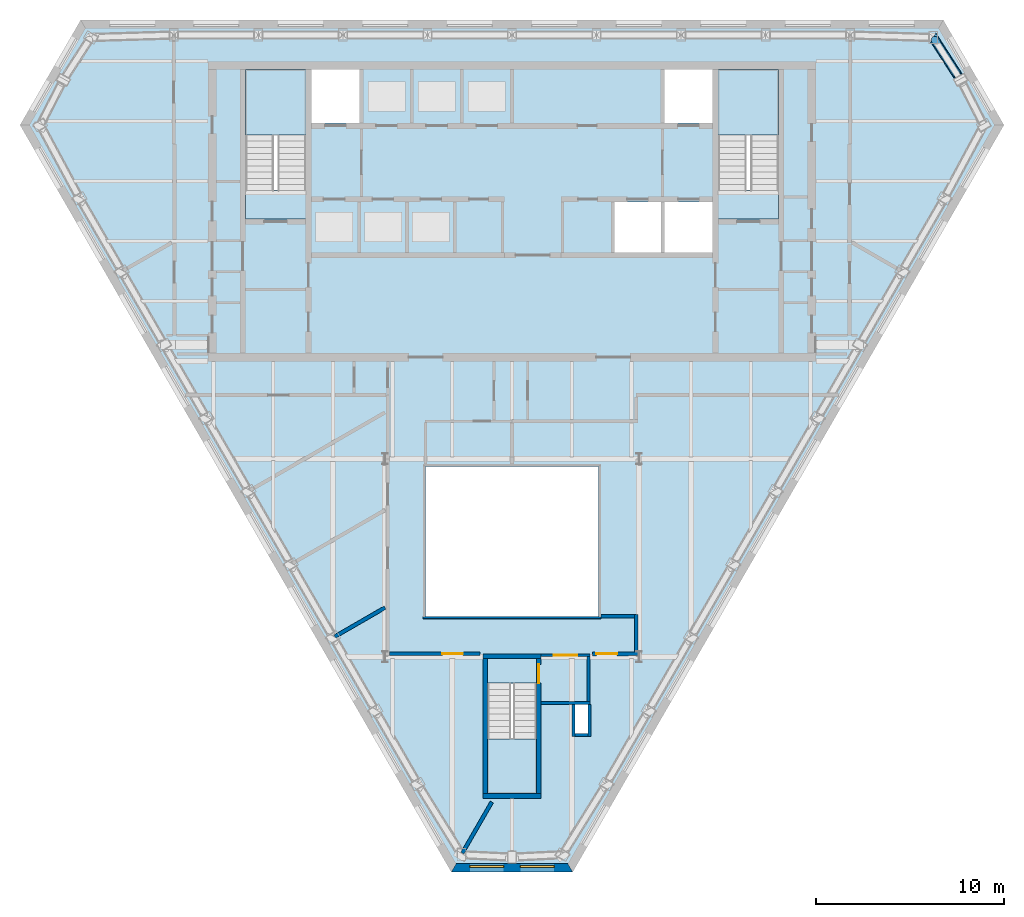
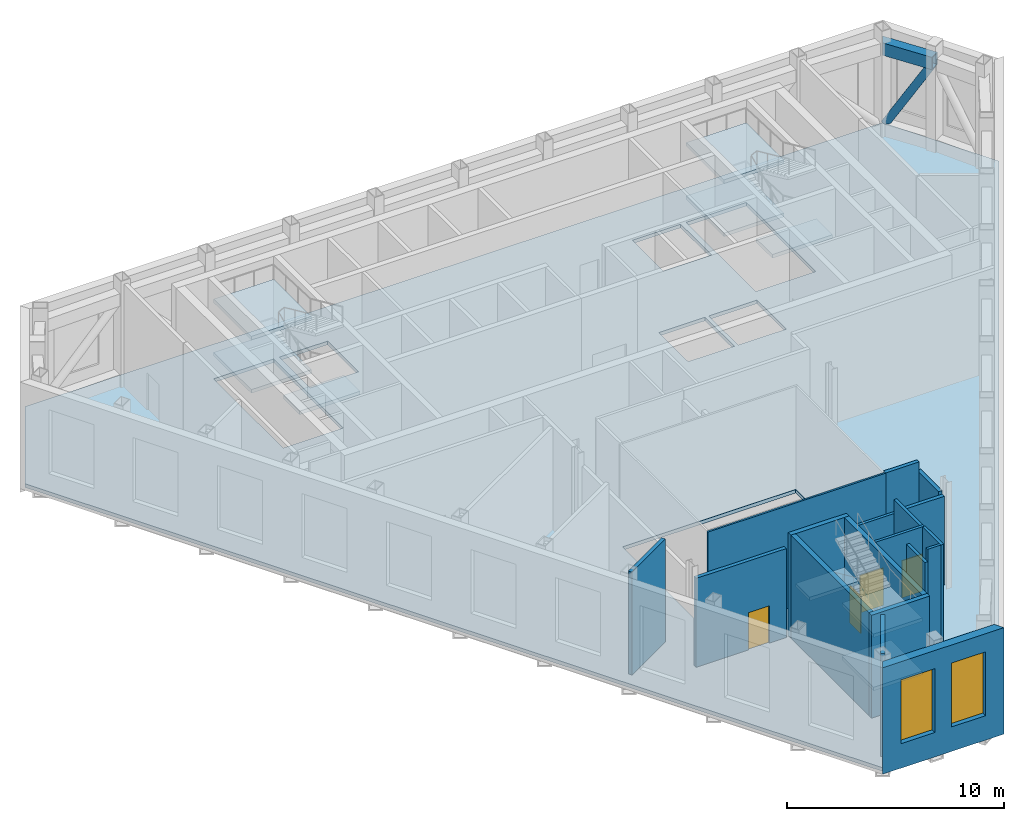
# One storey, part 6 of 14: 18 walls, 10 slabs, 4 doors, 2 members, 2 shading devices, 6 openings, 3 elements without a shape of their own.
"""IFC4 building model written with IfcOpenShell, lengths in metres."""

from ifc_helpers import new_model, si_unit, direction, frame, frame_2d, origin, origin_2d, place, context, subcontext, project, spatial, polyline, rectangle, hollow_rectangle, hollow_circle, outline, extrude, clip, halfspace, material, layer, layer_set, material_profile, profile_set, type_object, element, fill, aggregate, save


model = new_model("IFC4")

# Units and contexts
model_context = context("Model", 3, precision=1e-05, world=origin(), true_north=direction((0.0, 1.0)))
body_context = subcontext(model_context, "Body", "Model", "MODEL_VIEW")
ifc_project = project(units=[si_unit("LENGTHUNIT", "METRE"), si_unit("AREAUNIT", "SQUARE_METRE"), si_unit("VOLUMEUNIT", "CUBIC_METRE"), si_unit("PLANEANGLEUNIT", "RADIAN"), si_unit("MASSUNIT", "GRAM", prefix="KILO")], contexts=[model_context])

# Site, building, storey
site_placement = place(None, origin())
site = spatial("IfcSite", under=ifc_project, at=site_placement, CompositionType="ELEMENT")
building_placement = place(site_placement, origin())
building = spatial("IfcBuilding", under=site, at=building_placement, Name="Njiva Tower", CompositionType="ELEMENT")
storey_placement = place(building_placement, frame((0.0, 0.0, 239.4)))
storey = spatial("IfcBuildingStorey", under=building, at=storey_placement, Name="L54", CompositionType="ELEMENT", Elevation=239.4)

# Members
ifc_material_1 = material(Name="Steel S355 J2", Category="steel")
ifc_material_profile_1 = material_profile(ifc_material_1, hollow_rectangle(XDim=0.5, YDim=0.7, WallThickness=0.04, at=origin_2d()), Name="BOX 700x500x40")
ifc_profile_set_1 = profile_set([ifc_material_profile_1], Name="Steel S355 J2")
member_type_1 = type_object("IfcMemberType", Name="TC2 Belt truss chord BOX 700x500x40", PredefinedType="CHORD", material=ifc_profile_set_1)
member_1_placement = place(storey_placement, frame((23.9478, 16.9627, 4.91), z_axis=(-0.542160609802, 0.840274879536, 0.0), x_axis=(-0.840274879536, -0.542160609802, 0.0)))
element("IfcMember", 1, at=member_1_placement, inside=storey, type_object=member_type_1, Name="Belt truss chord T4-TR107", PredefinedType="CHORD", context=body_context, shape_type="Clipping", body=[
    clip(clip(extrude(hollow_rectangle(XDim=0.5, YDim=0.7, WallThickness=0.04, at=origin_2d()), origin(), (0.0, 0.0, 1.0), 2.9033), halfspace(frame((0.0, -244.31, 0.042), z_axis=(0.049273256214, 0.0, -0.998785335406), x_axis=(0.0, -1.0, 0.0)), False)), halfspace(frame((0.0, -244.31, 2.7423), z_axis=(0.465222241167, 0.0, 0.885193914531), x_axis=(0.0, 1.0, 0.0)), False)),
])
ifc_material_2 = material(Name="Steel S355 J2H", Category="steel")
ifc_material_profile_2 = material_profile(ifc_material_2, hollow_circle(Radius=0.2032, WallThickness=0.016, at=origin_2d()), Name="CHS 406.4x16")
ifc_profile_set_2 = profile_set([ifc_material_profile_2], Name="Steel S355 J2H")
member_type_2 = type_object("IfcMemberType", Name="TD2 Belt truss diagonal CHS 406.4x16", PredefinedType="BRACE", material=ifc_profile_set_2)
member_2_placement = place(storey_placement, frame((23.9667, 16.9333, 5.0399), z_axis=(-0.27624973848, 0.428149355609, -0.860450005103), x_axis=(-0.840274879536, -0.542160609802, 0.0)))
element("IfcMember", 2, at=member_2_placement, inside=storey, type_object=member_type_2, Name="Belt truss diagonal T4-TR108", PredefinedType="BRACE", context=body_context, shape_type="Clipping", body=[
    clip(clip(extrude(hollow_circle(Radius=0.2032, WallThickness=0.016, at=origin_2d()), origin(), (0.0, 0.0, 1.0), 5.6016), halfspace(frame((29.3192, -1.302, -0.2249), z_axis=(0.0, 0.50953487488, -0.860450005103), x_axis=(0.0, -0.860450005103, -0.50953487488)), False)), halfspace(frame((29.3192, -3.279, 3.1137), z_axis=(0.0, -0.50953487488, 0.860450005103), x_axis=(0.0, 0.860450005103, 0.50953487488)), False)),
])

# Stair, slabs
ifc_material_3 = material(Name="Concrete C40/50", Category="concrete")
stair_type_1 = type_object("IfcStairType", Name="ST4 Exit stair 1500", PredefinedType="HALF_TURN_STAIR", material=ifc_material_3)
stair_1_placement = place(storey_placement, origin())
stair_1 = element("IfcStair", 3, at=stair_1_placement, inside=storey, type_object=stair_type_1, Name="Stair A", PredefinedType="DOUBLE_RETURN_STAIR")
ifc_layer_1 = layer(ifc_material_3, 0.2)
ifc_layer_set_1 = layer_set([ifc_layer_1], Name="Concrete C40/50")
slab_type_1 = type_object("IfcSlabType", Name="FL9 Stair landing 200", PredefinedType="LANDING", material=ifc_layer_set_1)
slab_1_placement = place(storey_placement, frame((0.0, 0.0, 1.3)))
slab_1 = element("IfcSlab", 4, at=slab_1_placement, type_object=slab_type_1, Name="ST-A landing 1", PredefinedType="LANDING", context=body_context, shape_type="SweptSolid", body=[
    extrude(outline(polyline([(-14.206, 14.07), (-10.994, 14.07), (-10.994, 17.55), (-14.206, 17.55), (-14.206, 14.07)])), origin(), (0.0, 0.0, 1.0), 0.2),
])
slab_2_placement = place(storey_placement, frame((0.0, 0.0, 2.8)))
slab_2 = element("IfcSlab", 5, at=slab_2_placement, type_object=slab_type_1, Name="ST-A landing 2", PredefinedType="LANDING", context=body_context, shape_type="SweptSolid", body=[
    extrude(outline(polyline([(-14.206, 9.6), (-10.994, 9.6), (-10.994, 11.1), (-14.206, 11.1), (-14.206, 9.6)])), origin(), (0.0, 0.0, 1.0), 0.2),
])
slab_3_placement = place(storey_placement, frame((0.0, 0.0, 4.3)))
slab_3 = element("IfcSlab", 6, at=slab_3_placement, type_object=slab_type_1, Name="ST-A landing 3", PredefinedType="LANDING", context=body_context, shape_type="SweptSolid", body=[
    extrude(outline(polyline([(-14.206, 14.07), (-10.994, 14.07), (-10.994, 17.55), (-14.206, 17.55), (-14.206, 14.07)])), origin(), (0.0, 0.0, 1.0), 0.2),
])
aggregate(stair_1, [slab_1, slab_2, slab_3])

stair_2_placement = place(storey_placement, origin())
stair_2 = element("IfcStair", 7, at=stair_2_placement, inside=storey, type_object=stair_type_1, Name="Stair B", PredefinedType="DOUBLE_RETURN_STAIR")
slab_4_placement = place(storey_placement, frame((0.0, 0.0, 1.3)))
slab_4 = element("IfcSlab", 8, at=slab_4_placement, type_object=slab_type_1, Name="ST-B landing 1", PredefinedType="LANDING", context=body_context, shape_type="SweptSolid", body=[
    extrude(outline(polyline([(10.994, 14.07), (14.206, 14.07), (14.206, 17.55), (10.994, 17.55), (10.994, 14.07)])), origin(), (0.0, 0.0, 1.0), 0.2),
])
slab_5_placement = place(storey_placement, frame((0.0, 0.0, 2.8)))
slab_5 = element("IfcSlab", 9, at=slab_5_placement, type_object=slab_type_1, Name="ST-B landing 2", PredefinedType="LANDING", context=body_context, shape_type="SweptSolid", body=[
    extrude(outline(polyline([(10.994, 9.6), (14.206, 9.6), (14.206, 11.1), (10.994, 11.1), (10.994, 9.6)])), origin(), (0.0, 0.0, 1.0), 0.2),
])
slab_6_placement = place(storey_placement, frame((0.0, 0.0, 4.3)))
slab_6 = element("IfcSlab", 10, at=slab_6_placement, type_object=slab_type_1, Name="ST-B landing 3", PredefinedType="LANDING", context=body_context, shape_type="SweptSolid", body=[
    extrude(outline(polyline([(10.994, 14.07), (14.206, 14.07), (14.206, 17.55), (10.994, 17.55), (10.994, 14.07)])), origin(), (0.0, 0.0, 1.0), 0.2),
])
aggregate(stair_2, [slab_4, slab_5, slab_6])

stair_type_2 = type_object("IfcStairType", Name="ST1 Exit stair 1250", PredefinedType="HALF_TURN_STAIR", material=ifc_material_3)
stair_3_placement = place(storey_placement, origin())
stair_3 = element("IfcStair", 11, at=stair_3_placement, inside=storey, type_object=stair_type_2, Name="Stair C", PredefinedType="DOUBLE_RETURN_STAIR")
slab_7_placement = place(storey_placement, frame((0.0, 0.0, 1.3)))
slab_7 = element("IfcSlab", 12, at=slab_7_placement, type_object=slab_type_1, Name="ST-C landing 1", PredefinedType="LANDING", context=body_context, shape_type="SweptSolid", body=[
    extrude(outline(polyline([(-1.306, -21.05), (1.306, -21.05), (1.306, -18.13), (-1.306, -18.13), (-1.306, -21.05)])), origin(), (0.0, 0.0, 1.0), 0.2),
])
slab_8_placement = place(storey_placement, frame((0.0, 0.0, 2.8)))
slab_8 = element("IfcSlab", 13, at=slab_8_placement, type_object=slab_type_1, Name="ST-C landing 2", PredefinedType="LANDING", context=body_context, shape_type="SweptSolid", body=[
    extrude(outline(polyline([(-1.306, -15.16), (1.306, -15.16), (1.306, -13.85), (-1.306, -13.85), (-1.306, -15.16)])), origin(), (0.0, 0.0, 1.0), 0.2),
])
slab_9_placement = place(storey_placement, frame((0.0, 0.0, 4.3)))
slab_9 = element("IfcSlab", 14, at=slab_9_placement, type_object=slab_type_1, Name="ST-C landing 3", PredefinedType="LANDING", context=body_context, shape_type="SweptSolid", body=[
    extrude(outline(polyline([(-1.306, -21.05), (1.306, -21.05), (1.306, -18.13), (-1.306, -18.13), (-1.306, -21.05)])), origin(), (0.0, 0.0, 1.0), 0.2),
])
aggregate(stair_3, [slab_7, slab_8, slab_9])

# Slab
ifc_material_4 = material(Name="Concrete C30/37", Category="concrete")
ifc_layer_2 = layer(ifc_material_4, 0.2)
ifc_layer_set_2 = layer_set([ifc_layer_2], Name="Concrete C30/37")
slab_type_2 = type_object("IfcSlabType", Name="SL16 Composite floor slab 200", PredefinedType="FLOOR", material=ifc_layer_set_2)
slab_10_placement = place(storey_placement, frame((0.0, 0.0, -0.2)))
element("IfcSlab", 15, at=slab_10_placement, inside=storey, type_object=slab_type_2, Name="Floor slab L54", PredefinedType="FLOOR", context=body_context, shape_type="SweptSolid", body=[
    extrude(outline(polyline([(25.9752, 14.5968), (3.1051, -25.0154), (-3.1051, -25.0154), (-25.9752, 14.5968), (-22.8701, 19.975), (22.8701, 19.975), (25.9752, 14.5968)]), holes=[polyline([(14.206, 11.13), (14.206, 17.55), (10.994, 17.55), (10.994, 11.13), (14.206, 11.13)]), polyline([(8.125, 14.7), (10.7, 14.7), (10.7, 17.55), (8.125, 17.55), (8.125, 14.7)]), polyline([(10.7, 7.8), (10.7, 10.5), (8.1333, 10.5), (8.1333, 7.8), (10.7, 7.8)]), polyline([(7.9333, 7.8), (7.9333, 10.5), (5.4667, 10.5), (5.4667, 7.8), (7.9333, 7.8)]), polyline([(4.62, -3.6), (-4.62, -3.6), (-4.62, -11.6), (4.62, -11.6), (4.62, -3.6)]), polyline([(4.05, -17.85), (4.05, -16.3), (3.35, -16.3), (3.35, -17.85), (4.05, -17.85)]), polyline([(1.306, -21.05), (1.306, -15.19), (-1.306, -15.19), (-1.306, -21.05), (1.306, -21.05)]), polyline([(-10.7, 14.7), (-8.125, 14.7), (-8.125, 17.55), (-10.7, 17.55), (-10.7, 14.7)]), polyline([(-10.994, 11.13), (-10.994, 17.55), (-14.206, 17.55), (-14.206, 11.13), (-10.994, 11.13)])]), origin(), (0.0, 0.0, 1.0), 0.2),
])

# Wall
ifc_material_5 = material(Name="Blockwork", Category="masonry")
ifc_layer_3 = layer(ifc_material_5, 0.2)
ifc_layer_set_3 = layer_set([ifc_layer_3], Name="Blockwork")
wall_type_1 = type_object("IfcWallType", Name="WT22 Plant room wall 200", PredefinedType="PARTITIONING", material=ifc_layer_set_3)
wall_1_placement = place(storey_placement, frame((-9.448, -12.679, 0.0), z_axis=(0.0, 0.0, 1.0), x_axis=(0.866045570776, 0.499965068118, 0.0)))
element("IfcWall", 16, at=wall_1_placement, inside=storey, type_object=wall_type_1, Name="Partition T4-P010", PredefinedType="PARTITIONING", context=body_context, shape_type="SweptSolid", body=[
    extrude(rectangle(XDim=3.0922, YDim=0.2, at=frame_2d((1.5461, 0.0))), origin(), (0.0, 0.0, 1.0), 5.8),
])

# Wall, opening, door
wall_2_placement = place(storey_placement, frame((-6.52, -13.6, 0.0), z_axis=(0.0, 0.0, 1.0), x_axis=(1.0, 0.0, 0.0)))
wall_2 = element("IfcWall", 17, at=wall_2_placement, inside=storey, type_object=wall_type_1, Name="Partition T4-P014", PredefinedType="PARTITIONING", context=body_context, shape_type="SweptSolid", body=[
    extrude(rectangle(XDim=4.82, YDim=0.2, at=frame_2d((2.41, 0.0))), origin(), (0.0, 0.0, 1.0), 5.01),
])
opening_1_placement = place(wall_2_placement, frame((2.804, 0.0, 0.0)))
opening_1 = element("IfcOpeningElement", 18, at=opening_1_placement, cuts=wall_2, Name="Opening T4-D008", PredefinedType="OPENING", context=body_context, shape_type="SweptSolid", body=[
    extrude(rectangle(XDim=1.1, YDim=2.1, at=frame_2d((0.55, 1.05))), frame((0.0, 0.11, 0.0), z_axis=(0.0, -1.0, 0.0), x_axis=(1.0, 0.0, 0.0)), (0.0, 0.0, 1.0), 0.22),
])
ifc_material_6 = material(Name="Steel door set", Category="steel")
door_type_1 = type_object("IfcDoorType", Name="D34 Plant door 1100x2100", OperationType="SINGLE_SWING_LEFT", PredefinedType="DOOR", material=ifc_material_6)
door_1_placement = place(opening_1_placement, origin())
door_1 = element("IfcDoor", 19, at=door_1_placement, inside=storey, type_object=door_type_1, Name="Door T4-D008", OperationType="SINGLE_SWING_RIGHT", OverallHeight=2.1, OverallWidth=1.1, PredefinedType="DOOR", context=body_context, shape_type="SweptSolid", body=[
    extrude(rectangle(XDim=1.1, YDim=2.1, at=frame_2d((0.55, 1.05))), frame((0.0, 0.025, 0.0), z_axis=(0.0, -1.0, 0.0), x_axis=(1.0, 0.0, 0.0)), (0.0, 0.0, 1.0), 0.05),
])
fill(opening_1, door_1)

# Wall
wall_3_placement = place(storey_placement, frame((-2.646, -24.221, 0.0), z_axis=(0.0, 0.0, 1.0), x_axis=(0.499768381861, 0.866159087288, 0.0)))
element("IfcWall", 20, at=wall_3_placement, inside=storey, type_object=wall_type_1, Name="Partition T4-P017", PredefinedType="PARTITIONING", context=body_context, shape_type="SweptSolid", body=[
    extrude(rectangle(XDim=3.1415, YDim=0.2, at=frame_2d((1.5708, 0.0))), origin(), (0.0, 0.0, 1.0), 5.8),
])

# Wall, opening, door
wall_4_placement = place(storey_placement, frame((4.3, -13.601, 0.0), z_axis=(0.0, 0.0, 1.0), x_axis=(0.999999914623, 0.000413223105, 0.0)))
wall_4 = element("IfcWall", 21, at=wall_4_placement, inside=storey, type_object=wall_type_1, Name="Partition T4-P022", PredefinedType="PARTITIONING", context=body_context, shape_type="SweptSolid", body=[
    extrude(rectangle(XDim=2.42, YDim=0.2, at=frame_2d((1.21, 0.0))), origin(), (0.0, 0.0, 1.0), 5.01),
])
opening_2_placement = place(wall_4_placement, frame((0.2, 0.0, 0.0)))
opening_2 = element("IfcOpeningElement", 22, at=opening_2_placement, cuts=wall_4, Name="Opening T4-D012", PredefinedType="OPENING", context=body_context, shape_type="SweptSolid", body=[
    extrude(rectangle(XDim=1.1, YDim=2.1, at=frame_2d((0.55, 1.05))), frame((0.0, 0.11, 0.0), z_axis=(0.0, -1.0, 0.0), x_axis=(1.0, 0.0, 0.0)), (0.0, 0.0, 1.0), 0.22),
])
door_2_placement = place(opening_2_placement, origin())
door_2 = element("IfcDoor", 23, at=door_2_placement, inside=storey, type_object=door_type_1, Name="Door T4-D012", OperationType="SINGLE_SWING_LEFT", OverallHeight=2.1, OverallWidth=1.1, PredefinedType="DOOR", context=body_context, shape_type="SweptSolid", body=[
    extrude(rectangle(XDim=1.1, YDim=2.1, at=frame_2d((0.55, 1.05))), frame((0.0, 0.025, 0.0), z_axis=(0.0, -1.0, 0.0), x_axis=(1.0, 0.0, 0.0)), (0.0, 0.0, 1.0), 0.05),
])
fill(opening_2, door_2)

# Walls
wall_5_placement = place(storey_placement, frame((4.74, -11.6, 0.0), z_axis=(0.0, 0.0, 1.0), x_axis=(1.0, 0.0, 0.0)))
element("IfcWall", 24, at=wall_5_placement, inside=storey, type_object=wall_type_1, Name="Partition T4-P023", PredefinedType="PARTITIONING", context=body_context, shape_type="SweptSolid", body=[
    extrude(rectangle(XDim=1.78, YDim=0.2, at=frame_2d((0.89, 0.0))), origin(), (0.0, 0.0, 1.0), 5.8),
])
wall_6_placement = place(storey_placement, frame((6.62, -13.5, 0.0), z_axis=(0.0, 0.0, 1.0), x_axis=(0.0, 1.0, 0.0)))
element("IfcWall", 25, at=wall_6_placement, inside=storey, type_object=wall_type_1, Name="Partition T4-P024", PredefinedType="PARTITIONING", context=body_context, shape_type="SweptSolid", body=[
    extrude(rectangle(XDim=2.0, YDim=0.2, at=frame_2d((1.0, 0.0))), origin(), (0.0, 0.0, 1.0), 5.21),
])
ifc_layer_4 = layer(ifc_material_5, 0.15)
ifc_layer_set_4 = layer_set([ifc_layer_4], Name="Blockwork")
wall_type_2 = type_object("IfcWallType", Name="WT4 Stair partition 150", PredefinedType="PARTITIONING", material=ifc_layer_set_4)
wall_7_placement = place(storey_placement, frame((1.55, -16.225, 0.0), z_axis=(0.0, 0.0, 1.0), x_axis=(1.0, 0.0, 0.0)))
element("IfcWall", 26, at=wall_7_placement, inside=storey, type_object=wall_type_2, Name="Stair C vestibule wall south", PredefinedType="PARTITIONING", context=body_context, shape_type="SweptSolid", body=[
    extrude(rectangle(XDim=2.6, YDim=0.15, at=frame_2d((1.3, 0.0))), origin(), (0.0, 0.0, 1.0), 5.8),
])
wall_8_placement = place(storey_placement, frame((4.075, -16.15, 0.0), z_axis=(0.0, 0.0, 1.0), x_axis=(0.0, 1.0, 0.0)))
element("IfcWall", 27, at=wall_8_placement, inside=storey, type_object=wall_type_2, Name="Stair C vestibule wall east", PredefinedType="PARTITIONING", context=body_context, shape_type="SweptSolid", body=[
    extrude(rectangle(XDim=2.4, YDim=0.15, at=frame_2d((1.2, 0.0))), origin(), (0.0, 0.0, 1.0), 5.8),
])

# Wall, opening, door
wall_9_placement = place(storey_placement, frame((1.55, -13.675, 0.0), z_axis=(0.0, 0.0, 1.0), x_axis=(1.0, 0.0, 0.0)))
wall_9 = element("IfcWall", 28, at=wall_9_placement, inside=storey, type_object=wall_type_2, Name="Stair C vestibule wall north", PredefinedType="PARTITIONING", context=body_context, shape_type="SweptSolid", body=[
    extrude(rectangle(XDim=2.6, YDim=0.15, at=frame_2d((1.3, 0.0))), origin(), (0.0, 0.0, 1.0), 5.01),
])
opening_3_placement = place(wall_9_placement, frame((0.675, 0.0, 0.0)))
opening_3 = element("IfcOpeningElement", 29, at=opening_3_placement, cuts=wall_9, Name="Opening T4-D938", PredefinedType="OPENING", context=body_context, shape_type="SweptSolid", body=[
    extrude(rectangle(XDim=1.25, YDim=2.1, at=frame_2d((0.625, 1.05))), frame((0.0, 0.085, 0.0), z_axis=(0.0, -1.0, 0.0), x_axis=(1.0, 0.0, 0.0)), (0.0, 0.0, 1.0), 0.17),
])
ifc_material_7 = material(Name="Glazed steel fire door", Category="steel")
door_type_2 = type_object("IfcDoorType", Name="D8 Vestibule corridor door 1250x2100 glazed", OperationType="SINGLE_SWING_LEFT", PredefinedType="DOOR", material=ifc_material_7)
door_3_placement = place(opening_3_placement, origin())
door_3 = element("IfcDoor", 30, at=door_3_placement, inside=storey, type_object=door_type_2, Name="Stair vestibule corridor door", OperationType="SINGLE_SWING_RIGHT", OverallHeight=2.1, OverallWidth=1.25, PredefinedType="DOOR", context=body_context, shape_type="SweptSolid", body=[
    extrude(rectangle(XDim=1.25, YDim=2.1, at=frame_2d((0.625, 1.05))), frame((0.0, 0.025, 0.0), z_axis=(0.0, -1.0, 0.0), x_axis=(1.0, 0.0, 0.0)), (0.0, 0.0, 1.0), 0.05),
])
fill(opening_3, door_3)

# Walls
wall_10_placement = place(storey_placement, frame((3.275, -18.0, 0.0), z_axis=(0.0, 0.0, 1.0), x_axis=(0.0, 1.0, 0.0)))
element("IfcWall", 31, at=wall_10_placement, inside=storey, type_object=wall_type_2, Name="Stair C pressurisation shaft wall", PredefinedType="PARTITIONING", context=body_context, shape_type="SweptSolid", body=[
    extrude(rectangle(XDim=1.7, YDim=0.15, at=frame_2d((0.85, 0.0))), origin(), (0.0, 0.0, 1.0), 5.11),
])
wall_11_placement = place(storey_placement, frame((3.35, -17.925, 0.0), z_axis=(0.0, 0.0, 1.0), x_axis=(1.0, 0.0, 0.0)))
element("IfcWall", 32, at=wall_11_placement, inside=storey, type_object=wall_type_2, Name="Stair C pressurisation shaft wall", PredefinedType="PARTITIONING", context=body_context, shape_type="SweptSolid", body=[
    extrude(rectangle(XDim=0.7, YDim=0.15, at=frame_2d((0.35, 0.0))), origin(), (0.0, 0.0, 1.0), 5.8),
])
wall_12_placement = place(storey_placement, frame((4.125, -18.0, 0.0), z_axis=(0.0, 0.0, 1.0), x_axis=(0.0, 1.0, 0.0)))
element("IfcWall", 33, at=wall_12_placement, inside=storey, type_object=wall_type_2, Name="Stair C pressurisation shaft wall", PredefinedType="PARTITIONING", context=body_context, shape_type="SweptSolid", body=[
    extrude(rectangle(XDim=1.7, YDim=0.15, at=frame_2d((0.85, 0.0))), origin(), (0.0, 0.0, 1.0), 5.8),
])
ifc_layer_5 = layer(ifc_material_3, 0.25)
ifc_layer_set_5 = layer_set([ifc_layer_5], Name="Concrete C40/50")
wall_type_3 = type_object("IfcWallType", Name="WT9 Stair enclosure wall 250", PredefinedType="SHEAR", material=ifc_layer_set_5)
wall_13_placement = place(storey_placement, frame((-1.425, -21.05, 0.0), z_axis=(0.0, 0.0, 1.0), x_axis=(0.0, 1.0, 0.0)))
element("IfcWall", 34, at=wall_13_placement, inside=storey, type_object=wall_type_3, Name="Stair C wall west", PredefinedType="SHEAR", context=body_context, shape_type="SweptSolid", body=[
    extrude(rectangle(XDim=7.2, YDim=0.25, at=frame_2d((3.6, 0.0))), origin(), (0.0, 0.0, 1.0), 5.8),
])

# Wall, opening, door
wall_14_placement = place(storey_placement, frame((1.425, -21.05, 0.0), z_axis=(0.0, 0.0, 1.0), x_axis=(0.0, 1.0, 0.0)))
wall_14 = element("IfcWall", 35, at=wall_14_placement, inside=storey, type_object=wall_type_3, Name="Stair C wall east", PredefinedType="SHEAR", context=body_context, shape_type="SweptSolid", body=[
    extrude(rectangle(XDim=7.2, YDim=0.25, at=frame_2d((3.6, 0.0))), origin(), (0.0, 0.0, 1.0), 5.8),
])
opening_4_placement = place(wall_14_placement, frame((5.89, 0.0, 0.0)))
opening_4 = element("IfcOpeningElement", 36, at=opening_4_placement, cuts=wall_14, Name="Opening T4-D937", PredefinedType="OPENING", context=body_context, shape_type="SweptSolid", body=[
    extrude(rectangle(XDim=1.0, YDim=2.1, at=frame_2d((0.5, 1.05))), frame((0.0, 0.135, 0.0), z_axis=(0.0, -1.0, 0.0), x_axis=(1.0, 0.0, 0.0)), (0.0, 0.0, 1.0), 0.27),
])
door_type_3 = type_object("IfcDoorType", Name="D9 Stair vestibule door 1000x2100 glazed", OperationType="SINGLE_SWING_LEFT", PredefinedType="DOOR", material=ifc_material_7)
door_4_placement = place(opening_4_placement, origin())
door_4 = element("IfcDoor", 37, at=door_4_placement, inside=storey, type_object=door_type_3, Name="Stair C door", OperationType="SINGLE_SWING_LEFT", OverallHeight=2.1, OverallWidth=1.0, PredefinedType="DOOR", context=body_context, shape_type="SweptSolid", body=[
    extrude(rectangle(XDim=1.0, YDim=2.1, at=frame_2d((0.5, 1.05))), frame((0.0, 0.025, 0.0), z_axis=(0.0, -1.0, 0.0), x_axis=(1.0, 0.0, 0.0)), (0.0, 0.0, 1.0), 0.05),
])
fill(opening_4, door_4)

# Walls
for number, where, z_axis, x_axis, name in (
    (38, (-1.55, -21.175, 0.0), (0.0, 0.0, 1.0), (1.0, 0.0, 0.0), "Stair C wall south"),
    (39, (-1.55, -13.725, 0.0), (0.0, 0.0, 1.0), (1.0, 0.0, 0.0), "Stair C wall north"),
):
    element("IfcWall", number, at=place(storey_placement, frame(where, z_axis=z_axis, x_axis=x_axis)), inside=storey, type_object=wall_type_3, Name=name, PredefinedType="SHEAR", context=body_context, shape_type="SweptSolid", body=[
        extrude(rectangle(XDim=3.1, YDim=0.25, at=frame_2d((1.55, 0.0))), origin(), (0.0, 0.0, 1.0), 5.8),
    ])

# Wall, openings, shading devices
ifc_material_8 = material(Name="Brick masonry, buff", Category="masonry")
ifc_layer_6 = layer(ifc_material_8, 0.45)
ifc_layer_set_6 = layer_set([ifc_layer_6], Name="Brick masonry, buff")
wall_type_4 = type_object("IfcWallType", Name="WT94 Brick pier and spandrel wall 450, buff", PredefinedType="SOLIDWALL", material=ifc_layer_set_6)
wall_15_placement = place(storey_placement, frame((-3.1051, -25.0154, -0.18), z_axis=(0.0, 0.0, 1.0), x_axis=(1.0, 0.0, 0.0)))
wall_15 = element("IfcWall", 40, at=wall_15_placement, inside=storey, type_object=wall_type_4, Name="Facade wall S", PredefinedType="SOLIDWALL", context=body_context, shape_type="SweptSolid", body=[
    extrude(outline(polyline([(-0.1299, -0.225), (6.3401, -0.225), (6.0803, 0.225), (0.1299, 0.225), (-0.1299, -0.225)])), origin(), (0.0, 0.0, 1.0), 6.0),
])
opening_5_placement = place(wall_15_placement, frame((0.8569, 0.0, 1.38)))
opening_5 = element("IfcOpeningElement", 41, at=opening_5_placement, cuts=wall_15, Name="Opening T4-LV23", PredefinedType="OPENING", context=body_context, shape_type="SweptSolid", body=[
    extrude(rectangle(XDim=1.8, YDim=3.6, at=frame_2d((0.9, 1.8))), frame((0.0, 0.235, 0.0), z_axis=(0.0, -1.0, 0.0), x_axis=(1.0, 0.0, 0.0)), (0.0, 0.0, 1.0), 0.47),
])
opening_6_placement = place(wall_15_placement, frame((3.5532, 0.0, 1.38)))
opening_6 = element("IfcOpeningElement", 42, at=opening_6_placement, cuts=wall_15, Name="Opening T4-LV24", PredefinedType="OPENING", context=body_context, shape_type="SweptSolid", body=[
    extrude(rectangle(XDim=1.8, YDim=3.6, at=frame_2d((0.9, 1.8))), frame((0.0, 0.235, 0.0), z_axis=(0.0, -1.0, 0.0), x_axis=(1.0, 0.0, 0.0)), (0.0, 0.0, 1.0), 0.47),
])
ifc_material_9 = material(Name="Aluminium louvre blades", Category="aluminium")
shading_device_type = type_object("IfcShadingDeviceType", Name="LV2 Plant louvre 1800x3600", PredefinedType="JALOUSIE", material=ifc_material_9)
shading_device_1_placement = place(opening_5_placement, origin())
shading_device_1 = element("IfcShadingDevice", 43, at=shading_device_1_placement, inside=storey, type_object=shading_device_type, Name="Plant louvre", PredefinedType="JALOUSIE", context=body_context, shape_type="SweptSolid", body=[
    extrude(rectangle(XDim=1.8, YDim=3.6, at=frame_2d((0.9, 1.8))), frame((0.0, 0.125, 0.0), z_axis=(0.0, -1.0, 0.0), x_axis=(1.0, 0.0, 0.0)), (0.0, 0.0, 1.0), 0.1),
])
fill(opening_5, shading_device_1)
shading_device_2_placement = place(opening_6_placement, origin())
shading_device_2 = element("IfcShadingDevice", 44, at=shading_device_2_placement, inside=storey, type_object=shading_device_type, Name="Plant louvre", PredefinedType="JALOUSIE", context=body_context, shape_type="SweptSolid", body=[
    extrude(rectangle(XDim=1.8, YDim=3.6, at=frame_2d((0.9, 1.8))), frame((0.0, 0.125, 0.0), z_axis=(0.0, -1.0, 0.0), x_axis=(1.0, 0.0, 0.0)), (0.0, 0.0, 1.0), 0.1),
])
fill(opening_6, shading_device_2)

# Wall
ifc_material_10 = material(Name="Fire-resisting glazing EI 90", Category="glass")
ifc_layer_7 = layer(ifc_material_10, 0.1)
ifc_layer_set_7 = layer_set([ifc_layer_7], Name="Fire-resisting glazing EI 90")
wall_type_5 = type_object("IfcWallType", Name="WT95 Fire-resisting glazed screen EI 90", PredefinedType="PARTITIONING", material=ifc_layer_set_7)
wall_16_placement = place(storey_placement, frame((-4.74, -11.67, 0.0), z_axis=(0.0, 0.0, 1.0), x_axis=(1.0, 0.0, 0.0)))
element("IfcWall", 45, at=wall_16_placement, inside=storey, type_object=wall_type_5, Name="Atrium fire screen south", PredefinedType="PARTITIONING", context=body_context, shape_type="SweptSolid", body=[
    extrude(rectangle(XDim=9.48, YDim=0.1, at=frame_2d((4.74, 0.0))), origin(), (0.0, 0.0, 1.0), 5.8),
])

save(model, "model.ifc")
